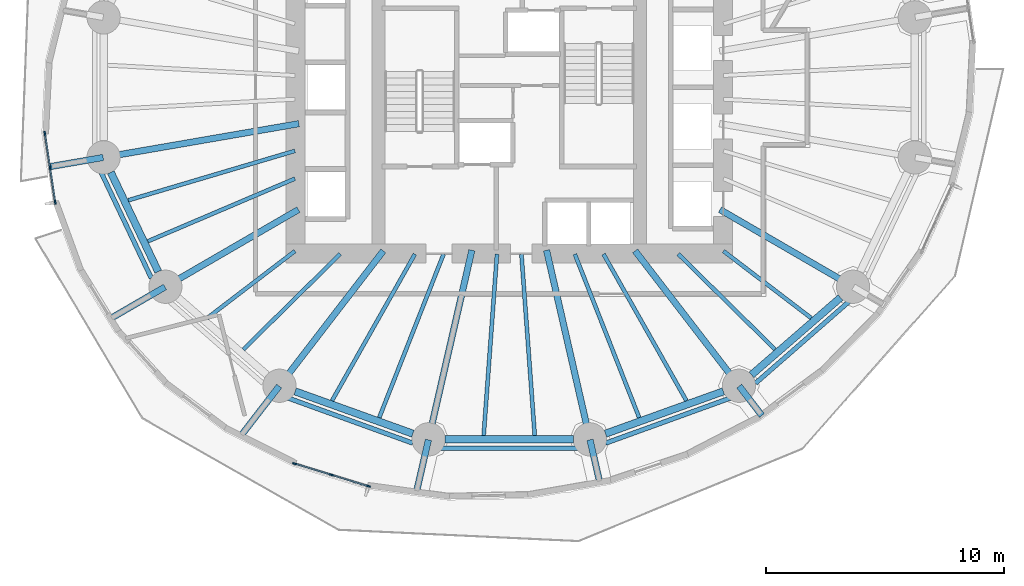
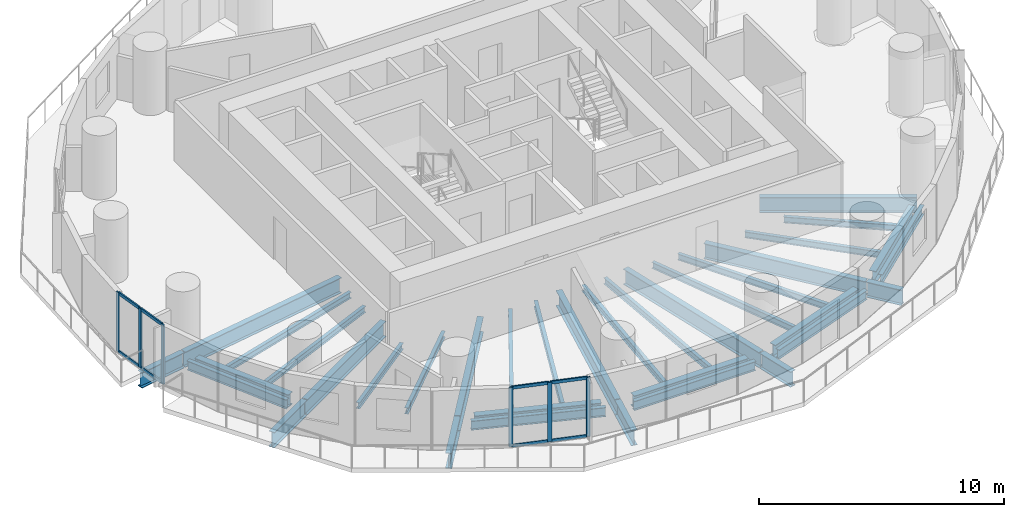
# One storey, part 2 of 13: 35 beams, 14 members, 2 elements without a shape of their own.
"""IFC4 building model written with IfcOpenShell, lengths in metres."""

from ifc_helpers import new_model, si_unit, direction, frame, origin, origin_2d, place, context, subcontext, project, spatial, rectangle, i_section, extrude, material, material_profile, profile_set, type_object, element, aggregate, save


model = new_model("IFC4")

# Units and contexts
model_context = context("Model", 3, precision=1e-05, world=origin(), true_north=direction((0.0, 1.0)))
body_context = subcontext(model_context, "Body", "Model", "MODEL_VIEW")
ifc_project = project(units=[si_unit("LENGTHUNIT", "METRE"), si_unit("AREAUNIT", "SQUARE_METRE"), si_unit("VOLUMEUNIT", "CUBIC_METRE"), si_unit("PLANEANGLEUNIT", "RADIAN"), si_unit("MASSUNIT", "GRAM", prefix="KILO")], contexts=[model_context])

# Site, building, storey
site_placement = place(None, origin())
site = spatial("IfcSite", under=ifc_project, at=site_placement, CompositionType="ELEMENT")
building_placement = place(site_placement, origin())
building = spatial("IfcBuilding", under=site, at=building_placement, Name="Veldorim Arch Residences", CompositionType="ELEMENT")
storey_placement = place(building_placement, frame((0.0, 0.0, 60.0)))
storey = spatial("IfcBuildingStorey", under=building, at=storey_placement, Name="L17", CompositionType="ELEMENT", Elevation=60.0)

# Beams
ifc_material_1 = material(Name="Steel S355", Category="steel")
ifc_material_profile_1 = material_profile(ifc_material_1, i_section(OverallWidth=0.30712890625, OverallDepth=0.6201171875, WebThickness=0.01416015625, FlangeThickness=0.023681640625, at=origin_2d()), Name="UB610x305x179")
ifc_profile_set_1 = profile_set([ifc_material_profile_1], Name="Steel S355")
beam_type_1 = type_object("IfcBeamType", Name="Structural Steel Beam UB610x305x179", PredefinedType="BEAM", material=ifc_profile_set_1)
beam_1_placement = place(storey_placement, frame((15.23583984375, 20.42236328125, -0.550048828125), z_axis=(0.430776422552, -0.902458682585, 0.0), x_axis=(0.902458682585, 0.430776422552, 0.0)))
element("IfcBeam", 1, at=beam_1_placement, inside=storey, type_object=beam_type_1, Name="L17 perimeter ring tie beam 09", PredefinedType="BEAM", context=body_context, shape_type="SweptSolid", body=[
    extrude(i_section(OverallWidth=0.30712890625, OverallDepth=0.6201171875, WebThickness=0.01416015625, FlangeThickness=0.023681640625, at=origin_2d()), origin(), (0.0, 0.0, 1.0), 4.63134765625),
])
beam_2_placement = place(storey_placement, frame((22.99169921875, 11.2080078125, -0.550048828125), z_axis=(0.941058113369, -0.338244922006, 0.0), x_axis=(0.338244922006, 0.941058113369, 0.0)))
element("IfcBeam", 2, at=beam_2_placement, inside=storey, type_object=beam_type_1, Name="L17 perimeter ring tie beam 11", PredefinedType="BEAM", context=body_context, shape_type="SweptSolid", body=[
    extrude(i_section(OverallWidth=0.30712890625, OverallDepth=0.6201171875, WebThickness=0.01416015625, FlangeThickness=0.023681640625, at=origin_2d()), origin(), (0.0, 0.0, 1.0), 5.265380859375),
])
beam_3_placement = place(storey_placement, frame((29.305419921875, 9.190185546875, -0.550048828125), z_axis=(1.0, 0.0, 0.0), x_axis=(0.0, 1.0, 0.0)))
element("IfcBeam", 3, at=beam_3_placement, inside=storey, type_object=beam_type_1, Name="L17 perimeter ring tie beam 12", PredefinedType="BEAM", context=body_context, shape_type="SweptSolid", body=[
    extrude(i_section(OverallWidth=0.30712890625, OverallDepth=0.6201171875, WebThickness=0.01416015625, FlangeThickness=0.023681640625, at=origin_2d()), origin(), (0.0, 0.0, 1.0), 5.38916015625),
])
beam_4_placement = place(storey_placement, frame((36.05322265625, 9.427001953125, -0.550048828125), z_axis=(0.941058113369, 0.338244922006, 0.0), x_axis=(-0.338244922006, 0.941058113369, 0.0)))
element("IfcBeam", 4, at=beam_4_placement, inside=storey, type_object=beam_type_1, Name="L17 perimeter ring tie beam 13", PredefinedType="BEAM", context=body_context, shape_type="SweptSolid", body=[
    extrude(i_section(OverallWidth=0.30712890625, OverallDepth=0.6201171875, WebThickness=0.01416015625, FlangeThickness=0.023681640625, at=origin_2d()), origin(), (0.0, 0.0, 1.0), 5.265380859375),
])
beam_5_placement = place(storey_placement, frame((42.195556640625, 11.903564453125, -0.550048828125), z_axis=(0.755264734985, 0.655419850239, 0.0), x_axis=(-0.655419850239, 0.755264734985, 0.0)))
element("IfcBeam", 5, at=beam_5_placement, inside=storey, type_object=beam_type_1, Name="L17 perimeter ring tie beam 14", PredefinedType="BEAM", context=body_context, shape_type="SweptSolid", body=[
    extrude(i_section(OverallWidth=0.30712890625, OverallDepth=0.6201171875, WebThickness=0.01416015625, FlangeThickness=0.023681640625, at=origin_2d()), origin(), (0.0, 0.0, 1.0), 4.956298828125),
])
ifc_material_2 = material(Name="Steel S355", Category="steel")
ifc_material_profile_2 = material_profile(ifc_material_2, i_section(OverallWidth=0.26806640625, OverallDepth=0.769775390625, WebThickness=0.015625, FlangeThickness=0.025390625, at=origin_2d()), Name="UB762x267x197")
ifc_profile_set_2 = profile_set([ifc_material_profile_2], Name="Steel S355")
beam_type_2 = type_object("IfcBeamType", Name="Structural Steel GIRDER UB762x267x197", PredefinedType="USERDEFINED", material=ifc_profile_set_2)
beam_6_placement = place(storey_placement, frame((23.147705078125, 22.471923828125, -0.625), z_axis=(-0.985427548249, -0.170095699979, 0.0), x_axis=(0.170095699979, -0.985427548249, 0.0)))
element("IfcBeam", 6, at=beam_6_placement, inside=storey, type_object=beam_type_2, Name="L17 radial floor girder 09", ObjectType="GIRDER", PredefinedType="USERDEFINED", context=body_context, shape_type="SweptSolid", body=[
    extrude(i_section(OverallWidth=0.26806640625, OverallDepth=0.769775390625, WebThickness=0.015625, FlangeThickness=0.025390625, at=origin_2d()), origin(), (0.0, 0.0, 1.0), 8.314697265625),
])
beam_7_placement = place(storey_placement, frame((14.91455078125, 21.05078125, -0.625), z_axis=(-0.985416557393, -0.170159361823, 0.0), x_axis=(0.170159361823, -0.985416557393, 0.0)))
element("IfcBeam", 7, at=beam_7_placement, inside=storey, type_object=beam_type_2, Name="L17 radial edge cantilever girder 09", ObjectType="GIRDER", PredefinedType="USERDEFINED", context=body_context, shape_type="SweptSolid", body=[
    extrude(i_section(OverallWidth=0.26806640625, OverallDepth=0.769775390625, WebThickness=0.015625, FlangeThickness=0.025390625, at=origin_2d()), origin(), (0.0, 0.0, 1.0), 2.266845703125),
])
beam_8_placement = place(storey_placement, frame((23.1298828125, 18.8564453125, -0.625), z_axis=(-0.865088348752, -0.501619525989, 0.0), x_axis=(0.501619525989, -0.865088348752, 0.0)))
element("IfcBeam", 8, at=beam_8_placement, inside=storey, type_object=beam_type_2, Name="L17 radial floor girder 10", ObjectType="GIRDER", PredefinedType="USERDEFINED", context=body_context, shape_type="SweptSolid", body=[
    extrude(i_section(OverallWidth=0.26806640625, OverallDepth=0.769775390625, WebThickness=0.015625, FlangeThickness=0.025390625, at=origin_2d()), origin(), (0.0, 0.0, 1.0), 6.4501953125),
])
beam_9_placement = place(storey_placement, frame((17.51513671875, 15.600830078125, -0.625), z_axis=(-0.865096946632, -0.501604697873, 0.0), x_axis=(0.501604697873, -0.865096946632, 0.0)))
element("IfcBeam", 9, at=beam_9_placement, inside=storey, type_object=beam_type_2, Name="L17 radial edge cantilever girder 10", ObjectType="GIRDER", PredefinedType="USERDEFINED", context=body_context, shape_type="SweptSolid", body=[
    extrude(i_section(OverallWidth=0.26806640625, OverallDepth=0.769775390625, WebThickness=0.015625, FlangeThickness=0.025390625, at=origin_2d()), origin(), (0.0, 0.0, 1.0), 2.674560546875),
])
beam_10_placement = place(storey_placement, frame((26.701904296875, 17.118896484375, -0.625), z_axis=(-0.610082439157, -0.792337943956, 0.0), x_axis=(0.792337943956, -0.610082439157, 0.0)))
element("IfcBeam", 10, at=beam_10_placement, inside=storey, type_object=beam_type_2, Name="L17 radial floor girder 11", ObjectType="GIRDER", PredefinedType="USERDEFINED", context=body_context, shape_type="SweptSolid", body=[
    extrude(i_section(OverallWidth=0.26806640625, OverallDepth=0.769775390625, WebThickness=0.015625, FlangeThickness=0.025390625, at=origin_2d()), origin(), (0.0, 0.0, 1.0), 7.14111328125),
])
beam_11_placement = place(storey_placement, frame((22.32080078125, 11.428955078125, -0.625), z_axis=(-0.610056198277, -0.792358148153, 0.0), x_axis=(0.792358148153, -0.610056198277, 0.0)))
element("IfcBeam", 11, at=beam_11_placement, inside=storey, type_object=beam_type_2, Name="L17 radial edge cantilever girder 11", ObjectType="GIRDER", PredefinedType="USERDEFINED", context=body_context, shape_type="SweptSolid", body=[
    extrude(i_section(OverallWidth=0.26806640625, OverallDepth=0.769775390625, WebThickness=0.015625, FlangeThickness=0.025390625, at=origin_2d()), origin(), (0.0, 0.0, 1.0), 2.66357421875),
])
beam_12_placement = place(storey_placement, frame((30.428955078125, 17.146240234375, -0.625), z_axis=(-0.223411766201, -0.974724157248, 0.0), x_axis=(0.974724157248, -0.223411766201, 0.0)))
element("IfcBeam", 12, at=beam_12_placement, inside=storey, type_object=beam_type_2, Name="L17 radial floor girder 12", ObjectType="GIRDER", PredefinedType="USERDEFINED", context=body_context, shape_type="SweptSolid", body=[
    extrude(i_section(OverallWidth=0.26806640625, OverallDepth=0.769775390625, WebThickness=0.015625, FlangeThickness=0.025390625, at=origin_2d()), origin(), (0.0, 0.0, 1.0), 8.142333984375),
])
beam_13_placement = place(storey_placement, frame((28.600830078125, 9.170654296875, -0.625), z_axis=(-0.223412195032, -0.974724058958, 0.0), x_axis=(0.974724058958, -0.223412195032, 0.0)))
element("IfcBeam", 13, at=beam_13_placement, inside=storey, type_object=beam_type_2, Name="L17 radial edge cantilever girder 12", ObjectType="GIRDER", PredefinedType="USERDEFINED", context=body_context, shape_type="SweptSolid", body=[
    extrude(i_section(OverallWidth=0.26806640625, OverallDepth=0.769775390625, WebThickness=0.015625, FlangeThickness=0.025390625, at=origin_2d()), origin(), (0.0, 0.0, 1.0), 2.279541015625),
])
beam_14_placement = place(storey_placement, frame((33.571044921875, 17.146240234375, -0.625), z_axis=(0.223411766201, -0.974724157248, 0.0), x_axis=(0.974724157248, 0.223411766201, 0.0)))
element("IfcBeam", 14, at=beam_14_placement, inside=storey, type_object=beam_type_2, Name="L17 radial floor girder 13", ObjectType="GIRDER", PredefinedType="USERDEFINED", context=body_context, shape_type="SweptSolid", body=[
    extrude(i_section(OverallWidth=0.26806640625, OverallDepth=0.769775390625, WebThickness=0.015625, FlangeThickness=0.025390625, at=origin_2d()), origin(), (0.0, 0.0, 1.0), 8.142333984375),
])
beam_15_placement = place(storey_placement, frame((35.399169921875, 9.170654296875, -0.625), z_axis=(0.223430723237, -0.974719812004, 0.0), x_axis=(0.974719812004, 0.223430723237, 0.0)))
element("IfcBeam", 15, at=beam_15_placement, inside=storey, type_object=beam_type_2, Name="L17 radial edge cantilever girder 13", ObjectType="GIRDER", PredefinedType="USERDEFINED", context=body_context, shape_type="SweptSolid", body=[
    extrude(i_section(OverallWidth=0.26806640625, OverallDepth=0.769775390625, WebThickness=0.015625, FlangeThickness=0.025390625, at=origin_2d()), origin(), (0.0, 0.0, 1.0), 1.85986328125),
])
beam_16_placement = place(storey_placement, frame((37.298095703125, 17.118896484375, -0.625), z_axis=(0.610082439157, -0.792337943956, 0.0), x_axis=(0.792337943956, 0.610082439157, 0.0)))
element("IfcBeam", 16, at=beam_16_placement, inside=storey, type_object=beam_type_2, Name="L17 radial floor girder 14", ObjectType="GIRDER", PredefinedType="USERDEFINED", context=body_context, shape_type="SweptSolid", body=[
    extrude(i_section(OverallWidth=0.26806640625, OverallDepth=0.769775390625, WebThickness=0.015625, FlangeThickness=0.025390625, at=origin_2d()), origin(), (0.0, 0.0, 1.0), 7.14111328125),
])
beam_17_placement = place(storey_placement, frame((41.67919921875, 11.428955078125, -0.625), z_axis=(0.609960092798, -0.792432132863, 0.0), x_axis=(0.792432132863, 0.609960092798, 0.0)))
element("IfcBeam", 17, at=beam_17_placement, inside=storey, type_object=beam_type_2, Name="L17 radial edge cantilever girder 14", ObjectType="GIRDER", PredefinedType="USERDEFINED", context=body_context, shape_type="SweptSolid", body=[
    extrude(i_section(OverallWidth=0.26806640625, OverallDepth=0.769775390625, WebThickness=0.015625, FlangeThickness=0.025390625, at=origin_2d()), origin(), (0.0, 0.0, 1.0), 1.5615234375),
])
beam_18_placement = place(storey_placement, frame((40.8701171875, 18.8564453125, -0.625), z_axis=(0.865088348752, -0.501619525989, 0.0), x_axis=(0.501619525989, 0.865088348752, 0.0)))
element("IfcBeam", 18, at=beam_18_placement, inside=storey, type_object=beam_type_2, Name="L17 radial floor girder 15", ObjectType="GIRDER", PredefinedType="USERDEFINED", context=body_context, shape_type="SweptSolid", body=[
    extrude(i_section(OverallWidth=0.26806640625, OverallDepth=0.769775390625, WebThickness=0.015625, FlangeThickness=0.025390625, at=origin_2d()), origin(), (0.0, 0.0, 1.0), 6.4501953125),
])
ifc_material_3 = material(Name="Steel S355", Category="steel")
ifc_material_profile_3 = material_profile(ifc_material_3, i_section(OverallWidth=0.165771484375, OverallDepth=0.306640625, WebThickness=0.006591796875, FlangeThickness=0.01171875, at=origin_2d()), Name="UB305x165x46")
ifc_profile_set_3 = profile_set([ifc_material_profile_3], Name="Steel S355")
beam_type_3 = type_object("IfcBeamType", Name="Structural Steel Joist UB305x165x46", PredefinedType="JOIST", material=ifc_profile_set_3)
beam_19_placement = place(storey_placement, frame((22.980712890625, 21.32666015625, -0.393310546875), z_axis=(-0.958766778771, -0.284194060325, 0.0), x_axis=(0.284194060325, -0.958766778771, 0.0)))
element("IfcBeam", 19, at=beam_19_placement, inside=storey, type_object=beam_type_3, Name="L17 secondary radial floor joist 09-1", PredefinedType="JOIST", context=body_context, shape_type="SweptSolid", body=[
    extrude(i_section(OverallWidth=0.165771484375, OverallDepth=0.306640625, WebThickness=0.006591796875, FlangeThickness=0.01171875, at=origin_2d()), origin(), (0.0, 0.0, 1.0), 7.3115234375),
])
beam_20_placement = place(storey_placement, frame((22.981689453125, 20.15869140625, -0.393310546875), z_axis=(-0.920032948668, -0.391841005213, 0.0), x_axis=(0.391841005213, -0.920032948668, 0.0)))
element("IfcBeam", 20, at=beam_20_placement, inside=storey, type_object=beam_type_3, Name="L17 secondary radial floor joist 09-2", PredefinedType="JOIST", context=body_context, shape_type="SweptSolid", body=[
    extrude(i_section(OverallWidth=0.165771484375, OverallDepth=0.306640625, WebThickness=0.006591796875, FlangeThickness=0.01171875, at=origin_2d()), origin(), (0.0, 0.0, 1.0), 6.723388671875),
])
beam_21_placement = place(storey_placement, frame((22.984130859375, 17.1123046875, -0.393310546875), z_axis=(-0.794666431166, -0.607046343517, 0.0), x_axis=(0.607046343517, -0.794666431166, 0.0)))
element("IfcBeam", 21, at=beam_21_placement, inside=storey, type_object=beam_type_3, Name="L17 secondary radial floor joist 10-1", PredefinedType="JOIST", context=body_context, shape_type="SweptSolid", body=[
    extrude(i_section(OverallWidth=0.165771484375, OverallDepth=0.306640625, WebThickness=0.006591796875, FlangeThickness=0.01171875, at=origin_2d()), origin(), (0.0, 0.0, 1.0), 4.646728515625),
])
beam_22_placement = place(storey_placement, frame((24.885009765625, 16.986083984375, -0.393310546875), z_axis=(-0.712129078446, -0.702048556463, 0.0), x_axis=(0.702048556463, -0.712129078446, 0.0)))
element("IfcBeam", 22, at=beam_22_placement, inside=storey, type_object=beam_type_3, Name="L17 secondary radial floor joist 10-2", PredefinedType="JOIST", context=body_context, shape_type="SweptSolid", body=[
    extrude(i_section(OverallWidth=0.165771484375, OverallDepth=0.306640625, WebThickness=0.006591796875, FlangeThickness=0.01171875, at=origin_2d()), origin(), (0.0, 0.0, 1.0), 5.715576171875),
])
beam_23_placement = place(storey_placement, frame((28.03125, 16.982666015625, -0.393310546875), z_axis=(-0.492292335352, -0.870429926274, 0.0), x_axis=(0.870429926274, -0.492292335352, 0.0)))
element("IfcBeam", 23, at=beam_23_placement, inside=storey, type_object=beam_type_3, Name="L17 secondary radial floor joist 11-1", PredefinedType="JOIST", context=body_context, shape_type="SweptSolid", body=[
    extrude(i_section(OverallWidth=0.165771484375, OverallDepth=0.306640625, WebThickness=0.006591796875, FlangeThickness=0.01171875, at=origin_2d()), origin(), (0.0, 0.0, 1.0), 7.083251953125),
])
beam_24_placement = place(storey_placement, frame((29.237548828125, 16.9814453125, -0.393310546875), z_axis=(-0.366229833858, -0.930524426758, 0.0), x_axis=(0.930524426758, -0.366229833858, 0.0)))
element("IfcBeam", 24, at=beam_24_placement, inside=storey, type_object=beam_type_3, Name="L17 secondary radial floor joist 11-2", PredefinedType="JOIST", context=body_context, shape_type="SweptSolid", body=[
    extrude(i_section(OverallWidth=0.165771484375, OverallDepth=0.306640625, WebThickness=0.006591796875, FlangeThickness=0.01171875, at=origin_2d()), origin(), (0.0, 0.0, 1.0), 7.3896484375),
])
for number, where, z_axis, x_axis, name in (
    (25, (31.485107421875, 16.97998046875, -0.393310546875), (-0.073167620373, -0.997319657547, 0.0), (0.997319657547, -0.073167620373, 0.0), "L17 secondary radial floor joist 12-1"),
    (26, (32.514892578125, 16.97998046875, -0.393310546875), (0.073167620373, -0.997319657547, 0.0), (0.997319657547, 0.073167620373, 0.0), "L17 secondary radial floor joist 12-2"),
):
    element("IfcBeam", number, at=place(storey_placement, frame(where, z_axis=z_axis, x_axis=x_axis)), inside=storey, type_object=beam_type_3, Name=name, PredefinedType="JOIST", context=body_context, shape_type="SweptSolid", body=[
        extrude(i_section(OverallWidth=0.165771484375, OverallDepth=0.306640625, WebThickness=0.006591796875, FlangeThickness=0.01171875, at=origin_2d()), origin(), (0.0, 0.0, 1.0), 7.651123046875),
    ])
beam_25_placement = place(storey_placement, frame((34.762451171875, 16.9814453125, -0.393310546875), z_axis=(0.366229833858, -0.930524426758, 0.0), x_axis=(0.930524426758, 0.366229833858, 0.0)))
element("IfcBeam", 27, at=beam_25_placement, inside=storey, type_object=beam_type_3, Name="L17 secondary radial floor joist 13-1", PredefinedType="JOIST", context=body_context, shape_type="SweptSolid", body=[
    extrude(i_section(OverallWidth=0.165771484375, OverallDepth=0.306640625, WebThickness=0.006591796875, FlangeThickness=0.01171875, at=origin_2d()), origin(), (0.0, 0.0, 1.0), 7.3896484375),
])
beam_26_placement = place(storey_placement, frame((35.96875, 16.982666015625, -0.393310546875), z_axis=(0.492292335352, -0.870429926274, 0.0), x_axis=(0.870429926274, 0.492292335352, 0.0)))
element("IfcBeam", 28, at=beam_26_placement, inside=storey, type_object=beam_type_3, Name="L17 secondary radial floor joist 13-2", PredefinedType="JOIST", context=body_context, shape_type="SweptSolid", body=[
    extrude(i_section(OverallWidth=0.165771484375, OverallDepth=0.306640625, WebThickness=0.006591796875, FlangeThickness=0.01171875, at=origin_2d()), origin(), (0.0, 0.0, 1.0), 7.083251953125),
])
beam_27_placement = place(storey_placement, frame((39.114990234375, 16.986083984375, -0.393310546875), z_axis=(0.712129078446, -0.702048556463, 0.0), x_axis=(0.702048556463, 0.712129078446, 0.0)))
element("IfcBeam", 29, at=beam_27_placement, inside=storey, type_object=beam_type_3, Name="L17 secondary radial floor joist 14-1", PredefinedType="JOIST", context=body_context, shape_type="SweptSolid", body=[
    extrude(i_section(OverallWidth=0.165771484375, OverallDepth=0.306640625, WebThickness=0.006591796875, FlangeThickness=0.01171875, at=origin_2d()), origin(), (0.0, 0.0, 1.0), 5.715576171875),
])
beam_28_placement = place(storey_placement, frame((41.015869140625, 17.1123046875, -0.393310546875), z_axis=(0.794666431166, -0.607046343517, 0.0), x_axis=(0.607046343517, 0.794666431166, 0.0)))
element("IfcBeam", 30, at=beam_28_placement, inside=storey, type_object=beam_type_3, Name="L17 secondary radial floor joist 14-2", PredefinedType="JOIST", context=body_context, shape_type="SweptSolid", body=[
    extrude(i_section(OverallWidth=0.165771484375, OverallDepth=0.306640625, WebThickness=0.006591796875, FlangeThickness=0.01171875, at=origin_2d()), origin(), (0.0, 0.0, 1.0), 4.646728515625),
])
ifc_material_4 = material(Name="Steel S355", Category="steel")
ifc_material_profile_4 = material_profile(ifc_material_4, i_section(OverallWidth=0.19140625, OverallDepth=0.4599609375, WebThickness=0.010009765625, FlangeThickness=0.01611328125, at=origin_2d()), Name="UB457x191x82")
ifc_profile_set_4 = profile_set([ifc_material_profile_4], Name="Steel S355")
beam_type_4 = type_object("IfcBeamType", Name="Structural Steel Spandrel UB457x191x82", PredefinedType="SPANDREL", material=ifc_profile_set_4)
beam_29_placement = place(storey_placement, frame((14.823974609375, 20.43310546875, -0.489990234375), z_axis=(0.428847831425, -0.903376741721, 0.0), x_axis=(0.903376741721, 0.428847831425, 0.0)))
element("IfcBeam", 31, at=beam_29_placement, inside=storey, type_object=beam_type_4, Name="L17 perimeter chord spandrel beam 09", PredefinedType="SPANDREL", context=body_context, shape_type="SweptSolid", body=[
    extrude(i_section(OverallWidth=0.19140625, OverallDepth=0.4599609375, WebThickness=0.010009765625, FlangeThickness=0.01611328125, at=origin_2d()), origin(), (0.0, 0.0, 1.0), 4.932861328125),
])
beam_30_placement = place(storey_placement, frame((22.680419921875, 10.93408203125, -0.489990234375), z_axis=(0.940268980555, -0.340432437064, 0.0), x_axis=(0.340432437064, 0.940268980555, 0.0)))
element("IfcBeam", 32, at=beam_30_placement, inside=storey, type_object=beam_type_4, Name="L17 perimeter chord spandrel beam 11", PredefinedType="SPANDREL", context=body_context, shape_type="SweptSolid", body=[
    extrude(i_section(OverallWidth=0.19140625, OverallDepth=0.4599609375, WebThickness=0.010009765625, FlangeThickness=0.01611328125, at=origin_2d()), origin(), (0.0, 0.0, 1.0), 5.59521484375),
])
beam_31_placement = place(storey_placement, frame((29.136474609375, 8.819580078125, -0.489990234375), z_axis=(1.0, 0.0, 0.0), x_axis=(0.0, 1.0, 0.0)))
element("IfcBeam", 33, at=beam_31_placement, inside=storey, type_object=beam_type_4, Name="L17 perimeter chord spandrel beam 12", PredefinedType="SPANDREL", context=body_context, shape_type="SweptSolid", body=[
    extrude(i_section(OverallWidth=0.19140625, OverallDepth=0.4599609375, WebThickness=0.010009765625, FlangeThickness=0.01611328125, at=origin_2d()), origin(), (0.0, 0.0, 1.0), 5.72705078125),
])
beam_32_placement = place(storey_placement, frame((36.05859375, 9.029296875, -0.489990234375), z_axis=(0.940268980555, 0.340432437064, 0.0), x_axis=(-0.340432437064, 0.940268980555, 0.0)))
element("IfcBeam", 34, at=beam_32_placement, inside=storey, type_object=beam_type_4, Name="L17 perimeter chord spandrel beam 13", PredefinedType="SPANDREL", context=body_context, shape_type="SweptSolid", body=[
    extrude(i_section(OverallWidth=0.19140625, OverallDepth=0.4599609375, WebThickness=0.010009765625, FlangeThickness=0.01611328125, at=origin_2d()), origin(), (0.0, 0.0, 1.0), 5.59521484375),
])
beam_33_placement = place(storey_placement, frame((42.36279296875, 11.548828125, -0.489990234375), z_axis=(0.75323350982, 0.657753205758, 0.0), x_axis=(-0.657753205758, 0.75323350982, 0.0)))
element("IfcBeam", 35, at=beam_33_placement, inside=storey, type_object=beam_type_4, Name="L17 perimeter chord spandrel beam 14", PredefinedType="SPANDREL", context=body_context, shape_type="SweptSolid", body=[
    extrude(i_section(OverallWidth=0.19140625, OverallDepth=0.4599609375, WebThickness=0.010009765625, FlangeThickness=0.01611328125, at=origin_2d()), origin(), (0.0, 0.0, 1.0), 5.27001953125),
])

# Curtain wall, members
ifc_material_5 = material(Name="Aluminium", Category="aluminium")
curtain_wall_type = type_object("IfcCurtainWallType", Name="Zone 1 Acoustic Low-E Unitised Curtain Wall", PredefinedType="NOTDEFINED", material=ifc_material_5)
curtain_wall_1_placement = place(storey_placement, origin())
curtain_wall_1 = element("IfcCurtainWall", 36, at=curtain_wall_1_placement, inside=storey, type_object=curtain_wall_type, Name="L17 unitised curtain wall bay 18", PredefinedType="NOTDEFINED")
ifc_material_6 = material(Name="Aluminium", Category="aluminium")
ifc_material_profile_5 = material_profile(ifc_material_6, rectangle(XDim=0.06494140625, YDim=0.175048828125, at=origin_2d()), Name="ALU_MUL_65x175")
ifc_profile_set_5 = profile_set([ifc_material_profile_5], Name="Aluminium")
member_type_1 = type_object("IfcMemberType", Name="Zone 1 Acoustic Low-E Unitised Curtain Wall Mullion 65x175", PredefinedType="MULLION", material=ifc_profile_set_5)
member_1_placement = place(storey_placement, frame((12.89599609375, 19.16162109375, 0.0), z_axis=(0.0, 0.0, 1.0), x_axis=(-0.988941483507, -0.148306244637, 0.0)))
member_1 = element("IfcMember", 37, at=member_1_placement, type_object=member_type_1, Name="CW-Z1 mullion 1", PredefinedType="MULLION", context=body_context, shape_type="SweptSolid", body=[
    extrude(rectangle(XDim=0.06494140625, YDim=0.175048828125, at=origin_2d()), origin(), (0.0, 0.0, 1.0), 2.9599609375),
])
member_2_placement = place(storey_placement, frame((12.67822265625, 20.61376953125, 0.0), z_axis=(0.0, 0.0, 1.0), x_axis=(-0.988941483507, -0.148306244637, 0.0)))
member_2 = element("IfcMember", 38, at=member_2_placement, type_object=member_type_1, Name="CW-Z1 mullion 2", PredefinedType="MULLION", context=body_context, shape_type="SweptSolid", body=[
    extrude(rectangle(XDim=0.06494140625, YDim=0.175048828125, at=origin_2d()), origin(), (0.0, 0.0, 1.0), 2.9599609375),
])
member_3_placement = place(storey_placement, frame((12.46044921875, 22.06591796875, 0.0), z_axis=(0.0, 0.0, 1.0), x_axis=(-0.988941483507, -0.148306244637, 0.0)))
member_3 = element("IfcMember", 39, at=member_3_placement, type_object=member_type_1, Name="CW-Z1 mullion 3", PredefinedType="MULLION", context=body_context, shape_type="SweptSolid", body=[
    extrude(rectangle(XDim=0.06494140625, YDim=0.175048828125, at=origin_2d()), origin(), (0.0, 0.0, 1.0), 2.9599609375),
])

curtain_wall_2_placement = place(storey_placement, origin())
curtain_wall_2 = element("IfcCurtainWall", 40, at=curtain_wall_2_placement, inside=storey, type_object=curtain_wall_type, Name="L17 unitised curtain wall bay 24", PredefinedType="NOTDEFINED")
member_4_placement = place(storey_placement, frame((26.075439453125, 7.21826171875, 0.0), z_axis=(0.0, 0.0, 1.0), x_axis=(-0.292851853901, -0.956157827802, 0.0)))
member_4 = element("IfcMember", 41, at=member_4_placement, type_object=member_type_1, Name="CW-Z1 mullion 1", PredefinedType="MULLION", context=body_context, shape_type="SweptSolid", body=[
    extrude(rectangle(XDim=0.06494140625, YDim=0.175048828125, at=origin_2d()), origin(), (0.0, 0.0, 1.0), 2.9599609375),
])
member_5_placement = place(storey_placement, frame((24.5244140625, 7.693359375, 0.0), z_axis=(0.0, 0.0, 1.0), x_axis=(-0.292851853901, -0.956157827802, 0.0)))
member_5 = element("IfcMember", 42, at=member_5_placement, type_object=member_type_1, Name="CW-Z1 mullion 2", PredefinedType="MULLION", context=body_context, shape_type="SweptSolid", body=[
    extrude(rectangle(XDim=0.06494140625, YDim=0.175048828125, at=origin_2d()), origin(), (0.0, 0.0, 1.0), 2.9599609375),
])
member_6_placement = place(storey_placement, frame((22.973388671875, 8.16845703125, 0.0), z_axis=(0.0, 0.0, 1.0), x_axis=(-0.292851853901, -0.956157827802, 0.0)))
member_6 = element("IfcMember", 43, at=member_6_placement, type_object=member_type_1, Name="CW-Z1 mullion 3", PredefinedType="MULLION", context=body_context, shape_type="SweptSolid", body=[
    extrude(rectangle(XDim=0.06494140625, YDim=0.175048828125, at=origin_2d()), origin(), (0.0, 0.0, 1.0), 2.9599609375),
])

# Member
ifc_material_7 = material(Name="Aluminium", Category="aluminium")
ifc_material_profile_6 = material_profile(ifc_material_7, rectangle(XDim=0.06494140625, YDim=0.14990234375, at=origin_2d()), Name="ALU_TRN_65x150")
ifc_profile_set_6 = profile_set([ifc_material_profile_6], Name="Aluminium")
member_type_2 = type_object("IfcMemberType", Name="Zone 1 Acoustic Low-E Unitised Curtain Wall Transom 65x150", PredefinedType="USERDEFINED", material=ifc_profile_set_6)
member_7_placement = place(storey_placement, frame((12.89111328125, 19.193603515625, 0.032470703125), z_axis=(-0.148212853592, 0.988955484352, 0.0), x_axis=(-0.988955484352, -0.148212853592, 0.0)))
member_7 = element("IfcMember", 44, at=member_7_placement, type_object=member_type_2, Name="CW-Z1 transom 1.1", ObjectType="TRANSOM", PredefinedType="USERDEFINED", context=body_context, shape_type="SweptSolid", body=[
    extrude(rectangle(XDim=0.06494140625, YDim=0.14990234375, at=origin_2d()), origin(), (0.0, 0.0, 1.0), 1.4033203125),
])

member_8_placement = place(storey_placement, frame((12.89111328125, 19.193603515625, 2.927490234375), z_axis=(-0.148212853592, 0.988955484352, 0.0), x_axis=(-0.988955484352, -0.148212853592, 0.0)))
member_8 = element("IfcMember", 45, at=member_8_placement, type_object=member_type_2, Name="CW-Z1 transom 1.2", ObjectType="TRANSOM", PredefinedType="USERDEFINED", context=body_context, shape_type="SweptSolid", body=[
    extrude(rectangle(XDim=0.06494140625, YDim=0.14990234375, at=origin_2d()), origin(), (0.0, 0.0, 1.0), 1.4033203125),
])

member_9_placement = place(storey_placement, frame((12.67333984375, 20.64599609375, 0.032470703125), z_axis=(-0.148212853592, 0.988955484352, 0.0), x_axis=(-0.988955484352, -0.148212853592, 0.0)))
member_9 = element("IfcMember", 46, at=member_9_placement, type_object=member_type_2, Name="CW-Z1 transom 2.1", ObjectType="TRANSOM", PredefinedType="USERDEFINED", context=body_context, shape_type="SweptSolid", body=[
    extrude(rectangle(XDim=0.06494140625, YDim=0.14990234375, at=origin_2d()), origin(), (0.0, 0.0, 1.0), 1.4033203125),
])

member_10_placement = place(storey_placement, frame((12.67333984375, 20.64599609375, 2.927490234375), z_axis=(-0.148212853592, 0.988955484352, 0.0), x_axis=(-0.988955484352, -0.148212853592, 0.0)))
member_10 = element("IfcMember", 47, at=member_10_placement, type_object=member_type_2, Name="CW-Z1 transom 2.2", ObjectType="TRANSOM", PredefinedType="USERDEFINED", context=body_context, shape_type="SweptSolid", body=[
    extrude(rectangle(XDim=0.06494140625, YDim=0.14990234375, at=origin_2d()), origin(), (0.0, 0.0, 1.0), 1.4033203125),
])

aggregate(curtain_wall_1, [member_1, member_2, member_3, member_7, member_8, member_9, member_10])

member_11_placement = place(storey_placement, frame((26.04443359375, 7.227783203125, 0.032470703125), z_axis=(-0.956157856937, 0.292851758773, 0.0), x_axis=(-0.292851758773, -0.956157856937, 0.0)))
member_11 = element("IfcMember", 48, at=member_11_placement, type_object=member_type_2, Name="CW-Z1 transom 1.1", ObjectType="TRANSOM", PredefinedType="USERDEFINED", context=body_context, shape_type="SweptSolid", body=[
    extrude(rectangle(XDim=0.06494140625, YDim=0.14990234375, at=origin_2d()), origin(), (0.0, 0.0, 1.0), 1.557373046875),
])

member_12_placement = place(storey_placement, frame((26.04443359375, 7.227783203125, 2.927490234375), z_axis=(-0.956157856937, 0.292851758773, 0.0), x_axis=(-0.292851758773, -0.956157856937, 0.0)))
member_12 = element("IfcMember", 49, at=member_12_placement, type_object=member_type_2, Name="CW-Z1 transom 1.2", ObjectType="TRANSOM", PredefinedType="USERDEFINED", context=body_context, shape_type="SweptSolid", body=[
    extrude(rectangle(XDim=0.06494140625, YDim=0.14990234375, at=origin_2d()), origin(), (0.0, 0.0, 1.0), 1.557373046875),
])

member_13_placement = place(storey_placement, frame((24.493408203125, 7.702880859375, 0.032470703125), z_axis=(-0.956144408733, 0.292895663416, 0.0), x_axis=(-0.292895663416, -0.956144408733, 0.0)))
member_13 = element("IfcMember", 50, at=member_13_placement, type_object=member_type_2, Name="CW-Z1 transom 2.1", ObjectType="TRANSOM", PredefinedType="USERDEFINED", context=body_context, shape_type="SweptSolid", body=[
    extrude(rectangle(XDim=0.06494140625, YDim=0.14990234375, at=origin_2d()), origin(), (0.0, 0.0, 1.0), 1.55712890625),
])

member_14_placement = place(storey_placement, frame((24.493408203125, 7.702880859375, 2.927490234375), z_axis=(-0.956144408733, 0.292895663416, 0.0), x_axis=(-0.292895663416, -0.956144408733, 0.0)))
member_14 = element("IfcMember", 51, at=member_14_placement, type_object=member_type_2, Name="CW-Z1 transom 2.2", ObjectType="TRANSOM", PredefinedType="USERDEFINED", context=body_context, shape_type="SweptSolid", body=[
    extrude(rectangle(XDim=0.06494140625, YDim=0.14990234375, at=origin_2d()), origin(), (0.0, 0.0, 1.0), 1.55712890625),
])

aggregate(curtain_wall_2, [member_4, member_5, member_6, member_11, member_12, member_13, member_14])

save(model, "model.ifc")
